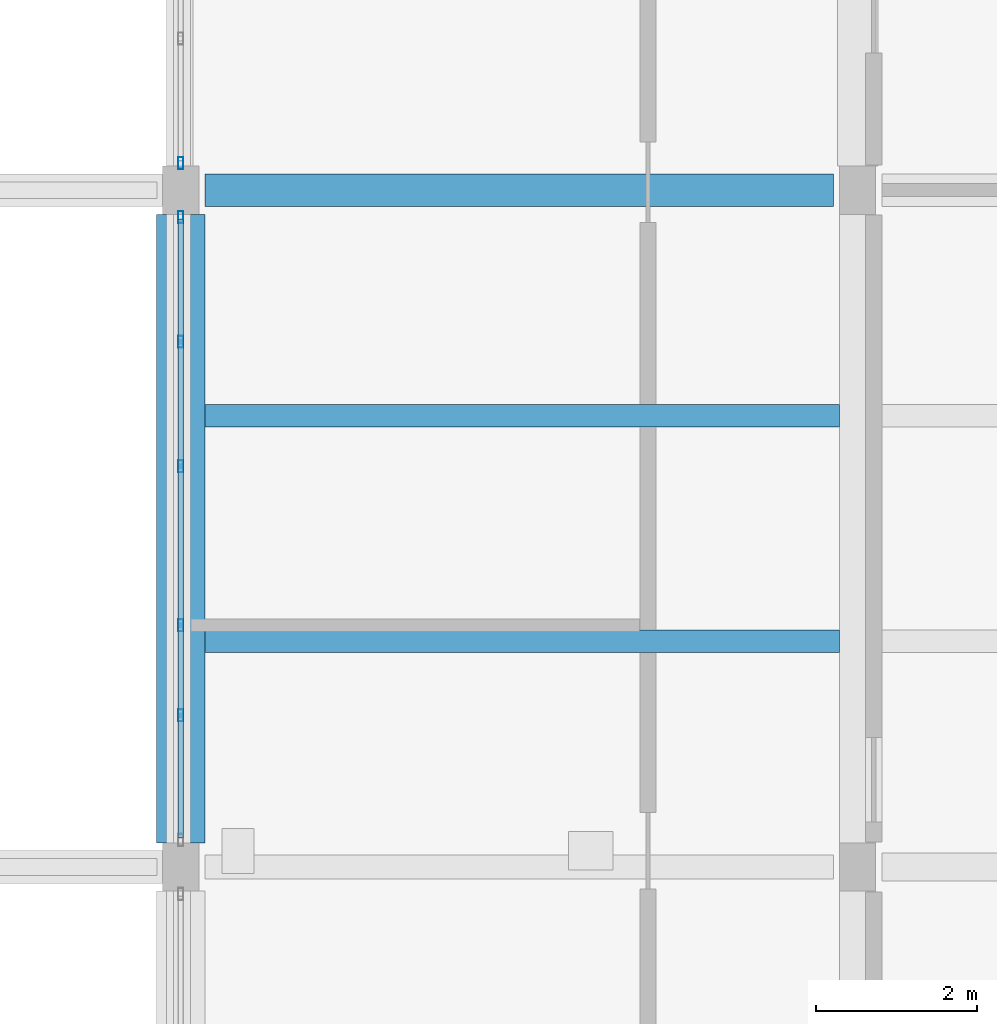
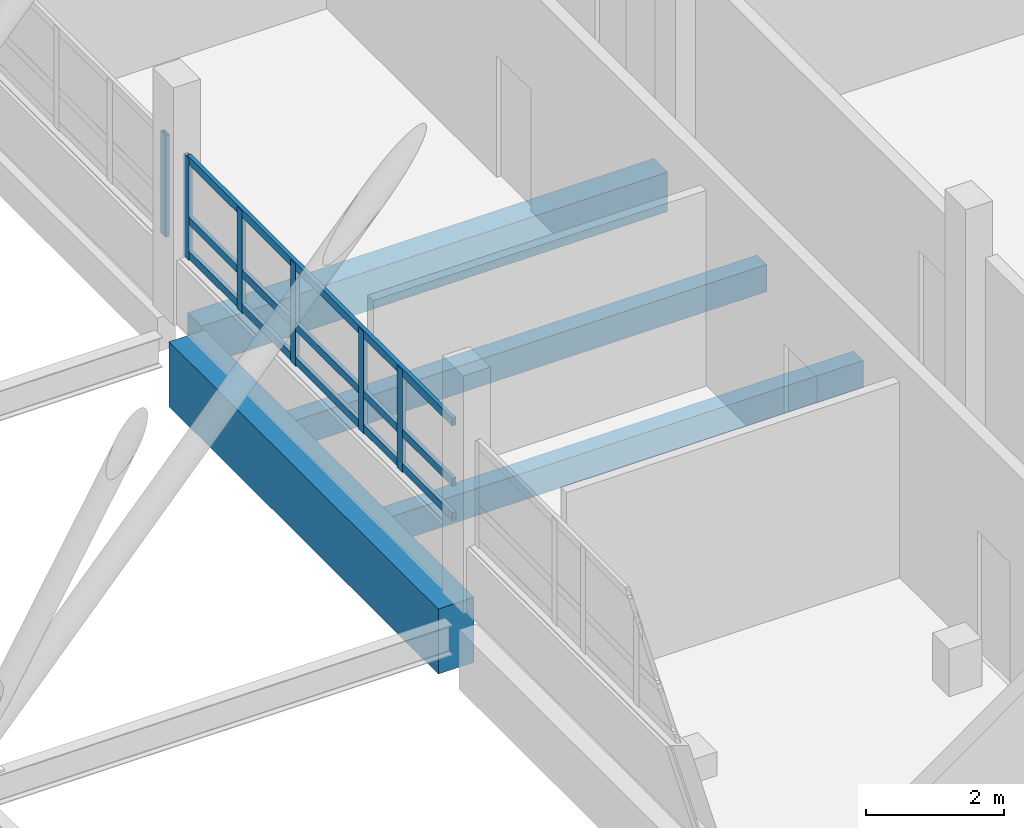
# One storey, part 28 of 107: 9 members, 4 beams, 2 elements without a shape of their own.
"""IFC4 building model written with IfcOpenShell, lengths in metres."""

from ifc_helpers import new_model, si_unit, direction, frame, origin, origin_2d, place, context, subcontext, project, spatial, rectangle, hollow_rectangle, extrude, material, layer, layer_set, material_profile, profile_set, type_object, element, aggregate, save


model = new_model("IFC4")

# Units and contexts
model_context = context("Model", 3, precision=1e-05, world=origin(), true_north=direction((0.0, 1.0)))
body_context = subcontext(model_context, "Body", "Model", "MODEL_VIEW")
ifc_project = project(units=[si_unit("LENGTHUNIT", "METRE"), si_unit("AREAUNIT", "SQUARE_METRE"), si_unit("VOLUMEUNIT", "CUBIC_METRE"), si_unit("PLANEANGLEUNIT", "RADIAN"), si_unit("MASSUNIT", "GRAM", prefix="KILO")], contexts=[model_context])

# Site, building, storey
site_placement = place(None, origin())
site = spatial("IfcSite", under=ifc_project, at=site_placement, CompositionType="ELEMENT")
building_placement = place(site_placement, origin())
building = spatial("IfcBuilding", under=site, at=building_placement, Name="Vireocrest Preparatory School", CompositionType="ELEMENT")
storey_placement = place(building_placement, frame((0.0, 0.0, 13.199951171875)))
storey = spatial("IfcBuildingStorey", under=building, at=storey_placement, Name="L03", CompositionType="ELEMENT", Elevation=13.199951171875)

# Curtain wall, members
ifc_material_1 = material(Name="Thermally broken aluminium EN AW-6063-T6", Category="aluminium")
ifc_layer = layer(ifc_material_1, 0.179931640625)
ifc_layer_set = layer_set([ifc_layer], Name="Thermally broken aluminium EN AW-6063-T6")
curtain_wall_type = type_object("IfcCurtainWallType", Name="Court Banded Curtain Wall 8400x3000", PredefinedType="USERDEFINED", material=ifc_layer_set)
curtain_wall_1_placement = place(storey_placement, origin())
curtain_wall_1 = element("IfcCurtainWall", 1, at=curtain_wall_1_placement, inside=storey, type_object=curtain_wall_type, Name="Curtain Wall CW02 CW_L03_CW02_0924_0609_144", ObjectType="CURTAIN WALL", PredefinedType="USERDEFINED")
ifc_material_profile_1 = material_profile(ifc_material_1, hollow_rectangle(XDim=0.06494140625, YDim=0.14990234375, WallThickness=0.00390625, at=origin_2d()), Name="ALU 65x150x4")
ifc_profile_set_1 = profile_set([ifc_material_profile_1], Name="Thermally broken aluminium EN AW-6063-T6")
member_type_1 = type_object("IfcMemberType", Name="CW Mullion 65x150x4", PredefinedType="MULLION", material=ifc_profile_set_1)
member_1_placement = place(storey_placement, frame((92.39990234375, 62.48095703125, 1.150146484375), z_axis=(0.0, 0.0, 1.0), x_axis=(1.0, 0.0, 0.0)))
member_1 = element("IfcMember", 2, at=member_1_placement, type_object=member_type_1, Name="CW Mullion ML1 CW_L03_CW02_0924_0609_144-2", PredefinedType="MULLION", context=body_context, shape_type="SweptSolid", body=[
    extrude(hollow_rectangle(XDim=0.06494140625, YDim=0.14990234375, WallThickness=0.00390625, at=origin_2d()), origin(), (0.0, 0.0, 1.0), 1.804931640625),
])
member_2_placement = place(storey_placement, frame((92.39990234375, 63.60009765625, 1.150146484375), z_axis=(0.0, 0.0, 1.0), x_axis=(1.0, 0.0, 0.0)))
member_2 = element("IfcMember", 3, at=member_2_placement, type_object=member_type_1, Name="CW Mullion ML1 CW_L03_CW02_0924_0609_144-3", PredefinedType="MULLION", context=body_context, shape_type="SweptSolid", body=[
    extrude(hollow_rectangle(XDim=0.06494140625, YDim=0.14990234375, WallThickness=0.00390625, at=origin_2d()), origin(), (0.0, 0.0, 1.0), 1.804931640625),
])
member_3_placement = place(storey_placement, frame((92.39990234375, 65.572998046875, 1.150146484375), z_axis=(0.0, 0.0, 1.0), x_axis=(1.0, 0.0, 0.0)))
member_3 = element("IfcMember", 4, at=member_3_placement, type_object=member_type_1, Name="CW Mullion ML1 CW_L03_CW02_0924_0609_144-4", PredefinedType="MULLION", context=body_context, shape_type="SweptSolid", body=[
    extrude(hollow_rectangle(XDim=0.06494140625, YDim=0.14990234375, WallThickness=0.00390625, at=origin_2d()), origin(), (0.0, 0.0, 1.0), 1.804931640625),
])
member_4_placement = place(storey_placement, frame((92.39990234375, 67.118896484375, 1.150146484375), z_axis=(0.0, 0.0, 1.0), x_axis=(1.0, 0.0, 0.0)))
member_4 = element("IfcMember", 5, at=member_4_placement, type_object=member_type_1, Name="CW Mullion ML1 CW_L03_CW02_0924_0609_144-5", PredefinedType="MULLION", context=body_context, shape_type="SweptSolid", body=[
    extrude(hollow_rectangle(XDim=0.06494140625, YDim=0.14990234375, WallThickness=0.00390625, at=origin_2d()), origin(), (0.0, 0.0, 1.0), 1.804931640625),
])
member_5_placement = place(storey_placement, frame((92.39990234375, 68.6650390625, 1.150146484375), z_axis=(0.0, 0.0, 1.0), x_axis=(1.0, 0.0, 0.0)))
member_5 = element("IfcMember", 6, at=member_5_placement, type_object=member_type_1, Name="CW Mullion ML1 CW_L03_CW02_0924_0609_144-6", PredefinedType="MULLION", context=body_context, shape_type="SweptSolid", body=[
    extrude(hollow_rectangle(XDim=0.06494140625, YDim=0.14990234375, WallThickness=0.00390625, at=origin_2d()), origin(), (0.0, 0.0, 1.0), 1.804931640625),
])

# Curtain wall, member
curtain_wall_2_placement = place(storey_placement, origin())
curtain_wall_2 = element("IfcCurtainWall", 7, at=curtain_wall_2_placement, inside=storey, type_object=curtain_wall_type, Name="Curtain Wall CW02 CW_L03_CW02_0924_0693_144", ObjectType="CURTAIN WALL", PredefinedType="USERDEFINED")
member_6_placement = place(storey_placement, frame((92.39990234375, 69.3349609375, 1.150146484375), z_axis=(0.0, 0.0, 1.0), x_axis=(1.0, 0.0, 0.0)))
member_6 = element("IfcMember", 8, at=member_6_placement, type_object=member_type_1, Name="CW Mullion ML1 CW_L03_CW02_0924_0693_144-1", PredefinedType="MULLION", context=body_context, shape_type="SweptSolid", body=[
    extrude(hollow_rectangle(XDim=0.06494140625, YDim=0.14990234375, WallThickness=0.00390625, at=origin_2d()), origin(), (0.0, 0.0, 1.0), 1.804931640625),
])
aggregate(curtain_wall_2, [member_6])

# Member
ifc_material_profile_2 = material_profile(ifc_material_1, hollow_rectangle(XDim=0.06494140625, YDim=0.139892578125, WallThickness=0.00390625, at=origin_2d()), Name="ALU 65x140x4")
ifc_profile_set_2 = profile_set([ifc_material_profile_2], Name="Thermally broken aluminium EN AW-6063-T6")
member_type_2 = type_object("IfcMemberType", Name="CW Transom 65x140x4", PredefinedType="USERDEFINED", material=ifc_profile_set_2)
member_7_placement = place(storey_placement, frame((92.39990234375, 60.9599609375, 1.2451171875), z_axis=(0.0, 1.0, 0.0), x_axis=(-1.0, 0.0, 0.0)))
member_7 = element("IfcMember", 9, at=member_7_placement, type_object=member_type_2, Name="CW Transom TR1 CW_L03_CW02_0924_0609_144-1", ObjectType="TRANSOM", PredefinedType="USERDEFINED", context=body_context, shape_type="SweptSolid", body=[
    extrude(hollow_rectangle(XDim=0.06494140625, YDim=0.139892578125, WallThickness=0.00390625, at=origin_2d()), origin(), (0.0, 0.0, 1.0), 7.679931640625),
])

member_8_placement = place(storey_placement, frame((92.39990234375, 60.9599609375, 1.85009765625), z_axis=(0.0, 1.0, 0.0), x_axis=(-1.0, 0.0, 0.0)))
member_8 = element("IfcMember", 10, at=member_8_placement, type_object=member_type_2, Name="CW Transom TR1 CW_L03_CW02_0924_0609_144-2", ObjectType="TRANSOM", PredefinedType="USERDEFINED", context=body_context, shape_type="SweptSolid", body=[
    extrude(hollow_rectangle(XDim=0.06494140625, YDim=0.139892578125, WallThickness=0.00390625, at=origin_2d()), origin(), (0.0, 0.0, 1.0), 7.679931640625),
])

member_9_placement = place(storey_placement, frame((92.39990234375, 60.9599609375, 2.9150390625), z_axis=(0.0, 1.0, 0.0), x_axis=(-1.0, 0.0, 0.0)))
member_9 = element("IfcMember", 11, at=member_9_placement, type_object=member_type_2, Name="CW Transom TR1 CW_L03_CW02_0924_0609_144-3", ObjectType="TRANSOM", PredefinedType="USERDEFINED", context=body_context, shape_type="SweptSolid", body=[
    extrude(hollow_rectangle(XDim=0.06494140625, YDim=0.139892578125, WallThickness=0.00390625, at=origin_2d()), origin(), (0.0, 0.0, 1.0), 7.679931640625),
])

aggregate(curtain_wall_1, [member_1, member_2, member_3, member_4, member_5, member_7, member_8, member_9])

# Beams
ifc_material_2 = material(Name="Concrete 40 MPa", Category="concrete")
ifc_material_profile_3 = material_profile(ifc_material_2, rectangle(XDim=0.39990234375, YDim=0.699951171875, at=origin_2d()), Name="RC 400x700")
ifc_profile_set_3 = profile_set([ifc_material_profile_3], Name="Concrete 40 MPa")
beam_type_1 = type_object("IfcBeamType", Name="RC Corridor Girder 400x700", PredefinedType="BEAM", material=ifc_profile_set_3)
beam_1_placement = place(storey_placement, frame((92.699951171875, 69.0, -0.60986328125), z_axis=(1.0, 0.0, 0.0), x_axis=(0.0, 1.0, 0.0)))
element("IfcBeam", 12, at=beam_1_placement, inside=storey, type_object=beam_type_1, Name="Primary Girder B08 L03-1068", PredefinedType="BEAM", context=body_context, shape_type="SweptSolid", body=[
    extrude(rectangle(XDim=0.39990234375, YDim=0.699951171875, at=origin_2d()), origin(), (0.0, 0.0, 1.0), 7.800048828125),
])
ifc_material_profile_4 = material_profile(ifc_material_2, rectangle(XDim=0.60009765625, YDim=1.14990234375, at=origin_2d()), Name="RC 600x1150")
ifc_profile_set_4 = profile_set([ifc_material_profile_4], Name="Concrete 40 MPa")
beam_type_2 = type_object("IfcBeamType", Name="RC Heavy Transfer Girder 600x1150", PredefinedType="BEAM", material=ifc_profile_set_4)
beam_2_placement = place(storey_placement, frame((92.39990234375, 60.89990234375, -0.8349609375), z_axis=(0.0, 1.0, 0.0), x_axis=(-1.0, 0.0, 0.0)))
element("IfcBeam", 13, at=beam_2_placement, inside=storey, type_object=beam_type_2, Name="Primary Girder B20 L03-1147", PredefinedType="BEAM", context=body_context, shape_type="SweptSolid", body=[
    extrude(rectangle(XDim=0.60009765625, YDim=1.14990234375, at=origin_2d()), origin(), (0.0, 0.0, 1.0), 7.800048828125),
])
ifc_material_profile_5 = material_profile(ifc_material_2, rectangle(XDim=0.280029296875, YDim=0.47998046875, at=origin_2d()), Name="RC 280x480")
ifc_profile_set_5 = profile_set([ifc_material_profile_5], Name="Concrete 40 MPa")
beam_type_3 = type_object("IfcBeamType", Name="RC Secondary Lab Joist 280x480", PredefinedType="JOIST", material=ifc_profile_set_5)
for number, where, z_axis, x_axis, name in (
    (14, (92.699951171875, 63.39990234375, -0.5), (1.0, 0.0, 0.0), (0.0, 1.0, 0.0), "Secondary Joist J02 L03-1247"),
    (15, (92.699951171875, 66.199951171875, -0.5), (1.0, 0.0, 0.0), (0.0, 1.0, 0.0), "Secondary Joist J02 L03-1248"),
):
    element("IfcBeam", number, at=place(storey_placement, frame(where, z_axis=z_axis, x_axis=x_axis)), inside=storey, type_object=beam_type_3, Name=name, PredefinedType="JOIST", context=body_context, shape_type="SweptSolid", body=[
        extrude(rectangle(XDim=0.280029296875, YDim=0.47998046875, at=origin_2d()), origin(), (0.0, 0.0, 1.0), 7.875),
    ])

save(model, "model.ifc")
